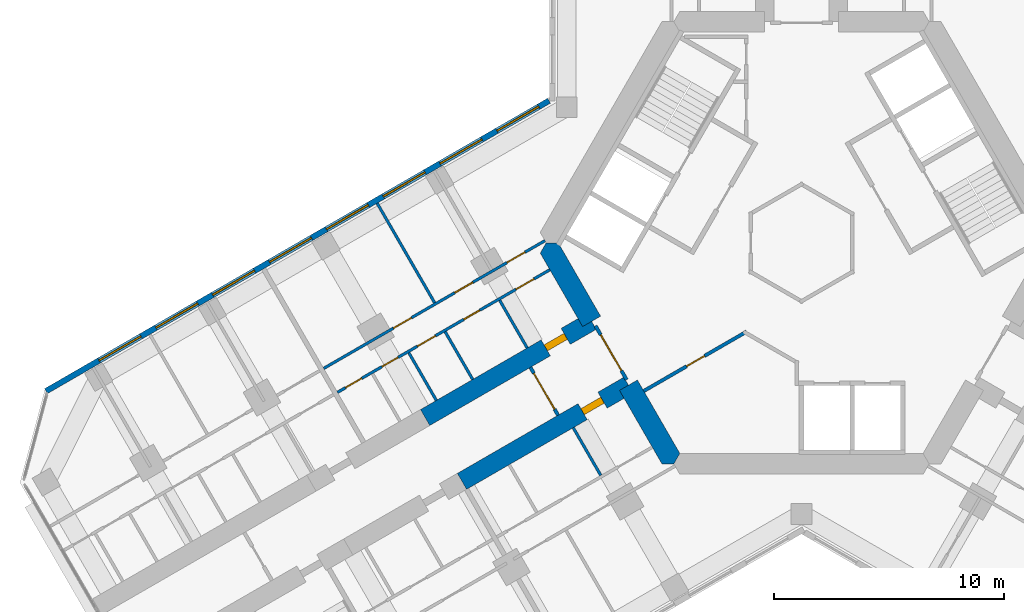
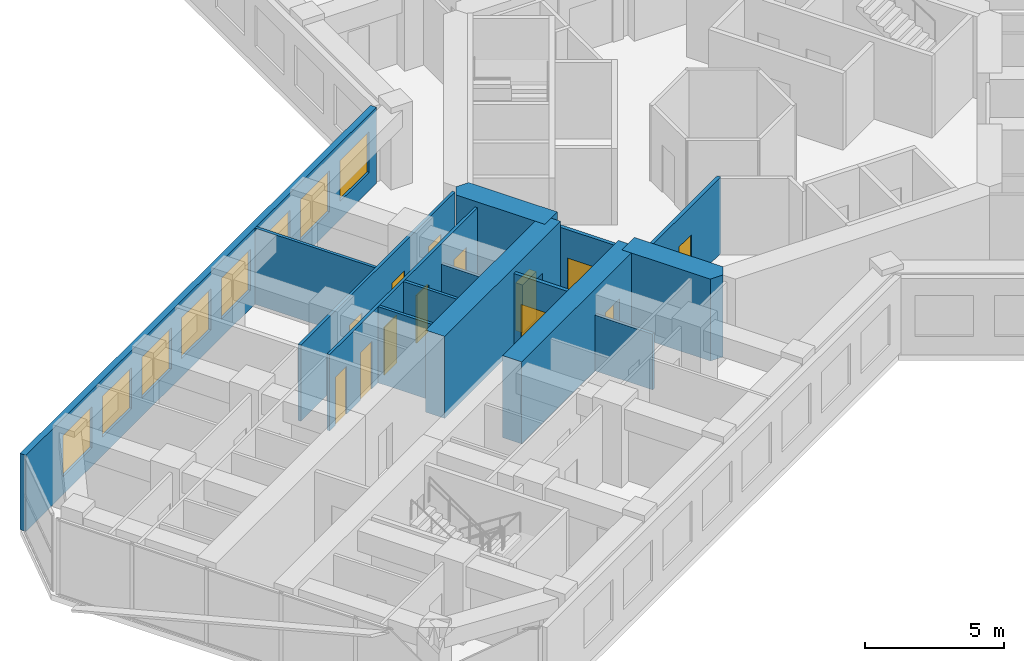
# One storey, part 12 of 20: 15 walls, 13 doors, 8 windows, 21 openings.
"""IFC4 building model written with IfcOpenShell, lengths in metres."""

import ifcopenshell
import ifcopenshell.guid

model = None  # the IFC model being written
_history = None  # IfcOwnerHistory: only IFC2X3 demands one
_inside = {}  # id of a spatial element -> (the spatial element, [elements in it])
_under = {}  # id of a project, library or spatial element -> (it, [spatial elements below it])
_declared = {}  # id of a project -> (the project, [libraries it declares])
_typed = {}  # id of a type object -> (the type object, [elements of that type])
_made_of = {}  # id of a material, layer set ... -> (it, [elements and type objects made of it])


def new_model(schema):
    """Start an empty IFC model of exactly this schema.

    Asked for "IFC4X3", IfcOpenShell would pick the latest addendum, in which some entities
    have other attributes; the version numbers below select the first issue.
    IFC2X3 requires an IfcOwnerHistory on every rooted entity: one is made here for all.
    """
    global model, _history
    if schema == "IFC4X3":
        model = ifcopenshell.file(schema_version=(4, 3, 0, 0))
    else:
        model = ifcopenshell.file(schema=schema)
    _inside.clear()
    _under.clear()
    _declared.clear()
    _typed.clear()
    _made_of.clear()
    _history = None
    if model.schema == "IFC2X3":
        org = make("IfcOrganization", Name="unknown")
        user = make(
            "IfcPersonAndOrganization",
            ThePerson=make("IfcPerson", FamilyName="unknown"),
            TheOrganization=org,
        )
        app = make(
            "IfcApplication",
            ApplicationDeveloper=org,
            Version="unknown",
            ApplicationFullName="unknown",
            ApplicationIdentifier="unknown",
        )
        _history = make(
            "IfcOwnerHistory",
            OwningUser=user,
            OwningApplication=app,
            ChangeAction="ADDED",
            CreationDate=0,
        )
    return model


def make(cls, **values):
    """One entity of the class cls with the attributes given. An attribute that is None is left unset."""
    return model.create_entity(
        cls, **{name: value for name, value in values.items() if value is not None}
    )


def rooted(cls, **values):
    """An entity with a GlobalId (a new one), such as an element, a storey or a relation."""
    return make(cls, GlobalId=ifcopenshell.guid.new(), OwnerHistory=_history, **values)


def si_unit(unit_type, name, prefix=None):
    """IfcSIUnit, for example si_unit("LENGTHUNIT", "METRE", prefix="MILLI")."""
    return make("IfcSIUnit", UnitType=unit_type, Prefix=prefix, Name=name)


def assignment(units):
    """IfcUnitAssignment: the units of a project."""
    return None if units is None else make("IfcUnitAssignment", Units=units)


def point(xyz):
    """IfcCartesianPoint."""
    return None if xyz is None else make("IfcCartesianPoint", Coordinates=xyz)


def direction(xyz):
    """IfcDirection."""
    return None if xyz is None else make("IfcDirection", DirectionRatios=xyz)


def frame(location, z_axis=None, x_axis=None):
    """IfcAxis2Placement3D, a coordinate frame: its origin and axes. An axis left out is left unset."""
    return make(
        "IfcAxis2Placement3D",
        Location=point(location),
        Axis=direction(z_axis),
        RefDirection=direction(x_axis),
    )


def frame_2d(location, x_axis=None):
    """IfcAxis2Placement2D, a coordinate frame in the plane: its origin and x axis."""
    return make(
        "IfcAxis2Placement2D", Location=point(location), RefDirection=direction(x_axis)
    )


def origin():
    """The frame at (0, 0, 0) with its axes left unset."""
    return frame((0.0, 0.0, 0.0))


def place(relative_to, where):
    """IfcLocalPlacement: puts the frame where relative to a parent placement (None: the world)."""
    return make(
        "IfcLocalPlacement", PlacementRelTo=relative_to, RelativePlacement=where
    )


def context(
    kind, dimensions, precision=None, world=None, true_north=None, identifier=None
):
    """IfcGeometricRepresentationContext, for example the 3D "Model" context."""
    return make(
        "IfcGeometricRepresentationContext",
        ContextIdentifier=identifier,
        ContextType=kind,
        CoordinateSpaceDimension=dimensions,
        Precision=precision,
        WorldCoordinateSystem=world,
        TrueNorth=true_north,
    )


def subcontext(parent, identifier, kind, view, scale=None):
    """IfcGeometricRepresentationSubContext, for example "Body" below "Model"."""
    return make(
        "IfcGeometricRepresentationSubContext",
        ContextIdentifier=identifier,
        ContextType=kind,
        ParentContext=parent,
        TargetScale=scale,
        TargetView=view,
    )


def project(units=None, contexts=None):
    """IfcProject with its units and contexts."""
    return rooted(
        "IfcProject",
        Name="project",
        RepresentationContexts=contexts,
        UnitsInContext=assignment(units),
    )


def spatial(cls, under=None, at=None, **own):
    """A site, building, storey or space (cls), placed at a placement, below another one or the project."""
    s = rooted(cls, ObjectPlacement=at, **own)
    if under is not None:
        _under.setdefault(under.id(), (under, []))[1].append(s)
    return s


def polyline(points):
    """IfcPolyline through the points."""
    return make("IfcPolyline", Points=[point(p) for p in points])


def profile(cls, at=None, kind="AREA", **sizes):
    """A parametric profile (cls). Its sizes go by their IFC names, for example OverallWidth=200.0."""
    return make(cls, ProfileType=kind, Position=at, **sizes)


def rectangle(**sizes):
    """IfcRectangleProfileDef."""
    return profile("IfcRectangleProfileDef", **sizes)


def outline(outer, holes=None, kind="AREA"):
    """IfcArbitraryClosedProfileDef: a profile drawn as a closed curve; with holes, ...WithVoids."""
    if holes is None:
        return make("IfcArbitraryClosedProfileDef", ProfileType=kind, OuterCurve=outer)
    return make(
        "IfcArbitraryProfileDefWithVoids",
        ProfileType=kind,
        OuterCurve=outer,
        InnerCurves=holes,
    )


def extrude(swept, where, along, depth):
    """IfcExtrudedAreaSolid: the profile swept, set in the frame where, extruded along a direction by depth."""
    return make(
        "IfcExtrudedAreaSolid",
        SweptArea=swept,
        Position=where,
        ExtrudedDirection=direction(along),
        Depth=depth,
    )


def shape(context_of_items, identifier, shape_type, items):
    """IfcShapeRepresentation: the items that make up one representation, for example the "Body"."""
    return make(
        "IfcShapeRepresentation",
        ContextOfItems=context_of_items,
        RepresentationIdentifier=identifier,
        RepresentationType=shape_type,
        Items=items,
    )


def material(Name=None, Category=None):
    """IfcMaterial."""
    return make("IfcMaterial", Name=Name, Category=Category)


def layer(
    of_material, thickness, ventilated=None, Name=None, Category=None, Priority=None
):
    """IfcMaterialLayer: one layer of a wall or slab, of a material (None: an air gap)."""
    return make(
        "IfcMaterialLayer",
        Material=of_material,
        LayerThickness=thickness,
        IsVentilated=ventilated,
        Name=Name,
        Category=Category,
        Priority=Priority,
    )


def layer_set(layers, Name=None):
    """IfcMaterialLayerSet."""
    return make("IfcMaterialLayerSet", MaterialLayers=layers, LayerSetName=Name)


def made_of(thing, what):
    """Note that an element or type object is made of a material, layer set ...; save() writes the relation."""
    if what is not None:
        _made_of.setdefault(what.id(), (what, []))[1].append(thing)
    return thing


def type_object(cls, material=None, **own):
    """A type object (cls), such as IfcWallType, which elements share."""
    return made_of(rooted(cls, **own), material)


def element(
    cls,
    number,
    at=None,
    inside=None,
    cuts=None,
    type_object=None,
    material=None,
    context=None,
    identifier="Body",
    shape_type=None,
    held_by="IfcProductDefinitionShape",
    body=None,
    shapes=None,
    **own,
):
    """One element of the class cls, such as IfcWall. Its Tag is "e" and its number.

    at: its placement. inside: the storey or other place that contains it. cuts: it is an
    opening in that element (IfcRelVoidsElement). A single representation is given by context,
    identifier, shape_type and body (its items); several are given by shapes. held_by: the class
    of the entity that holds the representations. save() writes the other relations.
    """
    e = rooted(cls, Tag="e%d" % number, ObjectPlacement=at, **own)
    if body is not None:
        shapes = [shape(context, identifier, shape_type, body)]
    if shapes is not None:
        e.Representation = make(held_by, Representations=shapes)
    if inside is not None:
        _inside.setdefault(inside.id(), (inside, []))[1].append(e)
    if cuts is not None:
        rooted(
            "IfcRelVoidsElement", RelatingBuildingElement=cuts, RelatedOpeningElement=e
        )
    if type_object is not None:
        _typed.setdefault(type_object.id(), (type_object, []))[1].append(e)
    return made_of(e, material)


def fill(opening, filler):
    """IfcRelFillsElement: the door or window that sits in an opening."""
    return rooted(
        "IfcRelFillsElement",
        RelatingOpeningElement=opening,
        RelatedBuildingElement=filler,
    )


def aggregate(whole, parts):
    """IfcRelAggregates: a whole, such as a stair, and the parts it consists of."""
    return rooted("IfcRelAggregates", RelatingObject=whole, RelatedObjects=parts)


def save(model, path):
    """Write the relations noted so far, then the file.

    IfcRelAggregates (storeys below a building ...), IfcRelContainedInSpatialStructure (elements
    in a storey), IfcRelDefinesByType, IfcRelAssociatesMaterial and IfcRelDeclares: one each for
    every whole, place, type object, material and project.
    """
    for whole, parts in _under.values():
        aggregate(whole, parts)
    for where, things in _inside.values():
        rooted(
            "IfcRelContainedInSpatialStructure",
            RelatedElements=things,
            RelatingStructure=where,
        )
    for kind, things in _typed.values():
        rooted("IfcRelDefinesByType", RelatedObjects=things, RelatingType=kind)
    for what, things in _made_of.values():
        rooted("IfcRelAssociatesMaterial", RelatedObjects=things, RelatingMaterial=what)
    for by, libraries in _declared.values():
        rooted("IfcRelDeclares", RelatingContext=by, RelatedDefinitions=libraries)
    model.write(path)


model = new_model("IFC4")

# Units and contexts
model_context = context("Model", 3, precision=1e-05, world=origin(), true_north=direction((0.0, 1.0)))
body_context = subcontext(model_context, "Body", "Model", "MODEL_VIEW")
ifc_project = project(units=[si_unit("LENGTHUNIT", "METRE"), si_unit("AREAUNIT", "SQUARE_METRE"), si_unit("VOLUMEUNIT", "CUBIC_METRE"), si_unit("PLANEANGLEUNIT", "RADIAN"), si_unit("MASSUNIT", "GRAM", prefix="KILO")], contexts=[model_context])

# Site, building, storey
site_placement = place(None, origin())
site = spatial("IfcSite", under=ifc_project, at=site_placement, CompositionType="ELEMENT")
building_placement = place(site_placement, origin())
building = spatial("IfcBuilding", under=site, at=building_placement, Name="Kosmar Iwan School Tower", CompositionType="ELEMENT")
storey_placement = place(building_placement, frame((0.0, 0.0, 131.0)))
storey = spatial("IfcBuildingStorey", under=building, at=storey_placement, Name="L32", CompositionType="ELEMENT", Elevation=131.0)

# Wall, opening, door
ifc_material_1 = material(Name="Gypsum board on steel studs, fire-rated", Category="steel")
ifc_layer_1 = layer(ifc_material_1, 0.14990234375)
ifc_layer_set_1 = layer_set([ifc_layer_1], Name="Core room partition 150")
wall_type_1 = type_object("IfcWallType", Name="Core room partition 150", PredefinedType="PARTITIONING", material=ifc_layer_set_1)
wall_1_placement = place(storey_placement, frame((-6.853515625, -6.439453125, 0.0), z_axis=(0.0, 0.0, 1.0), x_axis=(0.866030361502, 0.499991412883, 0.0)))
wall_1 = element("IfcWall", 1, at=wall_1_placement, inside=storey, type_object=wall_type_1, Name="Core room partition L32-CW5", PredefinedType="PARTITIONING", context=body_context, shape_type="SweptSolid", body=[
    extrude(rectangle(XDim=5.15966796875, YDim=0.14990234375, at=frame_2d((2.579833984375, 0.0))), origin(), (0.0, 0.0, 1.0), 3.35009765625),
])
opening_1_placement = place(wall_1_placement, frame((2.14990234375, 0.0, 0.0)))
opening_1 = element("IfcOpeningElement", 2, at=opening_1_placement, cuts=wall_1, Name="Opening D14", PredefinedType="OPENING", context=body_context, shape_type="SweptSolid", body=[
    extrude(rectangle(XDim=0.89990234375, YDim=2.10009765625, at=frame_2d((0.449951171875, 1.050048828125))), frame((0.0, 0.0869140625, 0.0), z_axis=(0.0, -1.0, 0.0), x_axis=(1.0, 0.0, 0.0)), (0.0, 0.0, 1.0), 0.173828125),
])
ifc_material_2 = material(Name="Timber fire door in steel frame", Category="steel")
door_type_1 = type_object("IfcDoorType", Name="Core room door 900x2100", OperationType="SINGLE_SWING_LEFT", PredefinedType="DOOR", material=ifc_material_2)
door_1_placement = place(opening_1_placement, origin())
door_1 = element("IfcDoor", 3, at=door_1_placement, inside=storey, type_object=door_type_1, Name="Parcel room door L32 3", OperationType="SINGLE_SWING_LEFT", OverallHeight=2.10009765625, OverallWidth=0.89990234375, PredefinedType="DOOR", context=body_context, shape_type="SweptSolid", body=[
    extrude(rectangle(XDim=0.89990234375, YDim=2.10009765625, at=frame_2d((0.449951171875, 1.050048828125))), frame((0.0, 0.02490234375, 0.0), z_axis=(0.0, -1.0, 0.0), x_axis=(1.0, 0.0, 0.0)), (0.0, 0.0, 1.0), 0.050048828125),
])
fill(opening_1, door_1)

# Walls
ifc_material_3 = material(Name="Concrete C50/60", Category="concrete")
ifc_layer_2 = layer(ifc_material_3, 0.89990234375)
ifc_layer_set_2 = layer_set([ifc_layer_2], Name="Core wall 900")
wall_type_2 = type_object("IfcWallType", Name="Core wall 900", PredefinedType="SHEAR", material=ifc_layer_set_2)
wall_2_placement = place(storey_placement, origin())
element("IfcWall", 4, at=wall_2_placement, inside=storey, type_object=wall_type_2, Name="Core wall F210a", PredefinedType="SHEAR", context=body_context, shape_type="SweptSolid", body=[
    extrude(outline(polyline([(-9.503662109375, -3.639404296875), (-8.72412109375, -3.189453125), (-10.5654296875, 0.0), (-11.085205078125, 0.0), (-11.344970703125, -0.449951171875), (-9.503662109375, -3.639404296875)])), origin(), (0.0, 0.0, 1.0), 3.60009765625),
])
wall_3_placement = place(storey_placement, origin())
element("IfcWall", 5, at=wall_3_placement, inside=storey, type_object=wall_type_2, Name="Core wall F210b", PredefinedType="SHEAR", context=body_context, shape_type="SweptSolid", body=[
    extrude(outline(polyline([(-6.062255859375, -9.60009765625), (-5.54248046875, -9.60009765625), (-5.28271484375, -9.14990234375), (-7.1240234375, -5.960693359375), (-7.903564453125, -6.41064453125), (-6.062255859375, -9.60009765625)])), origin(), (0.0, 0.0, 1.0), 3.60009765625),
])

# Wall, opening, door
ifc_material_4 = material(Name="Concrete C50/60", Category="concrete")
ifc_layer_3 = layer(ifc_material_4, 0.800048828125)
ifc_layer_set_3 = layer_set([ifc_layer_3], Name="Corridor buttress wall 800")
wall_type_3 = type_object("IfcWallType", Name="Corridor buttress wall 800", PredefinedType="SHEAR", material=ifc_layer_set_3)
wall_4_placement = place(storey_placement, frame((-7.513916015625, -6.185546875, 0.0), z_axis=(0.0, 0.0, 1.0), x_axis=(-0.866019549707, -0.500010139422, 0.0)))
wall_4 = element("IfcWall", 6, at=wall_4_placement, inside=storey, type_object=wall_type_3, Name="Corridor wall BL", PredefinedType="SHEAR", context=body_context, shape_type="SweptSolid", body=[
    extrude(rectangle(XDim=8.349853515625, YDim=0.800048828125, at=frame_2d((4.1748046875, 0.0))), origin(), (0.0, 0.0, 1.0), 3.60009765625),
])
opening_2_placement = place(wall_4_placement, frame((1.300048828125, 0.0, 0.0)))
opening_2 = element("IfcOpeningElement", 7, at=opening_2_placement, cuts=wall_4, Name="Opening D1", PredefinedType="OPENING", context=body_context, shape_type="SweptSolid", body=[
    extrude(rectangle(XDim=1.0, YDim=2.10009765625, at=frame_2d((0.5, 1.050048828125))), frame((0.0, 0.412109375, 0.0), z_axis=(0.0, -1.0, 0.0), x_axis=(1.0, 0.0, 0.0)), (0.0, 0.0, 1.0), 0.823974609375),
])
ifc_material_5 = material(Name="Timber fire door in steel frame", Category="steel")
door_type_2 = type_object("IfcDoorType", Name="Flat entrance door 1000x2100", OperationType="SINGLE_SWING_LEFT", PredefinedType="DOOR", material=ifc_material_5)
door_2_placement = place(opening_2_placement, origin())
door_2 = element("IfcDoor", 8, at=door_2_placement, inside=storey, type_object=door_type_2, Name="Flat L32-BL1 entrance door", OperationType="SINGLE_SWING_RIGHT", OverallHeight=2.10009765625, OverallWidth=1.0, PredefinedType="DOOR", context=body_context, shape_type="SweptSolid", body=[
    extrude(rectangle(XDim=1.0, YDim=2.10009765625, at=frame_2d((0.5, 1.050048828125))), frame((0.0, 0.14990234375, 0.0), z_axis=(0.0, -1.0, 0.0), x_axis=(1.0, 0.0, 0.0)), (0.0, 0.0, 1.0), 0.300048828125),
])
fill(opening_2, door_2)

wall_5_placement = place(storey_placement, frame((-9.11376953125, -3.414306640625, 0.0), z_axis=(0.0, 0.0, 1.0), x_axis=(-0.866026859388, -0.499997478812, 0.0)))
wall_5 = element("IfcWall", 9, at=wall_5_placement, inside=storey, type_object=wall_type_3, Name="Corridor wall BR", PredefinedType="SHEAR", context=body_context, shape_type="SweptSolid", body=[
    extrude(rectangle(XDim=8.35009765625, YDim=0.800048828125, at=frame_2d((4.175048828125, 0.0))), origin(), (0.0, 0.0, 1.0), 3.60009765625),
])
opening_3_placement = place(wall_5_placement, frame((1.300048828125, 0.0, 0.0)))
opening_3 = element("IfcOpeningElement", 10, at=opening_3_placement, cuts=wall_5, Name="Opening D1", PredefinedType="OPENING", context=body_context, shape_type="SweptSolid", body=[
    extrude(rectangle(XDim=1.0, YDim=2.10009765625, at=frame_2d((0.5, 1.050048828125))), frame((0.0, 0.412109375, 0.0), z_axis=(0.0, -1.0, 0.0), x_axis=(1.0, 0.0, 0.0)), (0.0, 0.0, 1.0), 0.823974609375),
])
door_3_placement = place(opening_3_placement, origin())
door_3 = element("IfcDoor", 11, at=door_3_placement, inside=storey, type_object=door_type_2, Name="Flat L32-BR1 entrance door", OperationType="SINGLE_SWING_RIGHT", OverallHeight=2.10009765625, OverallWidth=1.0, PredefinedType="DOOR", context=body_context, shape_type="SweptSolid", body=[
    extrude(rectangle(XDim=1.0, YDim=2.10009765625, at=frame_2d((0.5, 1.050048828125))), frame((0.0, 0.14990234375, 0.0), z_axis=(0.0, -1.0, 0.0), x_axis=(1.0, 0.0, 0.0)), (0.0, 0.0, 1.0), 0.300048828125),
])
fill(opening_3, door_3)

ifc_material_6 = material(Name="Gypsum board on steel studs, fire-rated", Category="steel")
ifc_layer_4 = layer(ifc_material_6, 0.14990234375)
ifc_layer_set_4 = layer_set([ifc_layer_4], Name="Corridor end wall 150")
wall_type_4 = type_object("IfcWallType", Name="Corridor end wall 150", PredefinedType="PARTITIONING", material=ifc_layer_set_4)
wall_6_placement = place(storey_placement, frame((-11.771728515625, -5.41064453125, 0.0), z_axis=(0.0, 0.0, 1.0), x_axis=(0.499957262057, -0.866050077142, 0.0)))
wall_6 = element("IfcWall", 12, at=wall_6_placement, inside=storey, type_object=wall_type_4, Name="Partition L32-B-HW", PredefinedType="PARTITIONING", context=body_context, shape_type="SweptSolid", body=[
    extrude(rectangle(XDim=2.400146484375, YDim=0.14990234375, at=frame_2d((1.2001953125, 0.0))), origin(), (0.0, 0.0, 1.0), 3.35009765625),
])
opening_4_placement = place(wall_6_placement, frame((0.300048828125, 0.0, 0.0)))
opening_4 = element("IfcOpeningElement", 13, at=opening_4_placement, cuts=wall_6, Name="Opening D9", PredefinedType="OPENING", context=body_context, shape_type="SweptSolid", body=[
    extrude(rectangle(XDim=1.800048828125, YDim=2.10009765625, at=frame_2d((0.89990234375, 1.050048828125))), frame((0.0, 0.0869140625, 0.0), z_axis=(0.0, -1.0, 0.0), x_axis=(1.0, 0.0, 0.0)), (0.0, 0.0, 1.0), 0.173828125),
])
ifc_material_7 = material(Name="Steel framed glazed smoke door", Category="steel")
door_type_3 = type_object("IfcDoorType", Name="Corridor smoke door pair 1800x2100", OperationType="DOUBLE_DOOR_DOUBLE_SWING", PredefinedType="DOOR", material=ifc_material_7)
door_4_placement = place(opening_4_placement, origin())
door_4 = element("IfcDoor", 14, at=door_4_placement, inside=storey, type_object=door_type_3, Name="Hashti vestibule smoke doors L32-B", OperationType="DOUBLE_DOOR_DOUBLE_SWING", OverallHeight=2.10009765625, OverallWidth=1.800048828125, PredefinedType="DOOR", context=body_context, shape_type="SweptSolid", body=[
    extrude(rectangle(XDim=1.800048828125, YDim=2.10009765625, at=frame_2d((0.89990234375, 1.050048828125))), frame((0.0, 0.02490234375, 0.0), z_axis=(0.0, -1.0, 0.0), x_axis=(1.0, 0.0, 0.0)), (0.0, 0.0, 1.0), 0.050048828125),
])
fill(opening_4, door_4)

ifc_material_8 = material(Name="Steel framed glazed screen", Category="steel")
ifc_layer_5 = layer(ifc_material_8, 0.14990234375)
ifc_layer_set_5 = layer_set([ifc_layer_5], Name="Corridor screen wall 150")
wall_type_5 = type_object("IfcWallType", Name="Corridor screen wall 150", PredefinedType="PARTITIONING", material=ifc_layer_set_5)
wall_7_placement = place(storey_placement, frame((-8.945556640625, -3.60595703125, 0.0), z_axis=(0.0, 0.0, 1.0), x_axis=(0.500048589285, -0.86599734893, 0.0)))
wall_7 = element("IfcWall", 15, at=wall_7_placement, inside=storey, type_object=wall_type_5, Name="Corridor screen B L32", PredefinedType="PARTITIONING", context=body_context, shape_type="SweptSolid", body=[
    extrude(rectangle(XDim=2.699951171875, YDim=0.14990234375, at=frame_2d((1.35009765625, 0.0))), origin(), (0.0, 0.0, 1.0), 3.35009765625),
])
opening_5_placement = place(wall_7_placement, frame((0.449951171875, 0.0, 0.0)))
opening_5 = element("IfcOpeningElement", 16, at=opening_5_placement, cuts=wall_7, Name="Opening D9", PredefinedType="OPENING", context=body_context, shape_type="SweptSolid", body=[
    extrude(rectangle(XDim=1.800048828125, YDim=2.10009765625, at=frame_2d((0.89990234375, 1.050048828125))), frame((0.0, 0.0869140625, 0.0), z_axis=(0.0, -1.0, 0.0), x_axis=(1.0, 0.0, 0.0)), (0.0, 0.0, 1.0), 0.173828125),
])
door_5_placement = place(opening_5_placement, origin())
door_5 = element("IfcDoor", 17, at=door_5_placement, inside=storey, type_object=door_type_3, Name="Corridor doors B L32", OperationType="DOUBLE_DOOR_DOUBLE_SWING", OverallHeight=2.10009765625, OverallWidth=1.800048828125, PredefinedType="DOOR", context=body_context, shape_type="SweptSolid", body=[
    extrude(rectangle(XDim=1.800048828125, YDim=2.10009765625, at=frame_2d((0.89990234375, 1.050048828125))), frame((0.0, 0.02490234375, 0.0), z_axis=(0.0, -1.0, 0.0), x_axis=(1.0, 0.0, 0.0)), (0.0, 0.0, 1.0), 0.050048828125),
])
fill(opening_5, door_5)

# Wall
ifc_material_9 = material(Name="Gypsum board on steel studs", Category="steel")
ifc_layer_6 = layer(ifc_material_9, 0.1201171875)
ifc_layer_set_6 = layer_set([ifc_layer_6], Name="Dwelling partition 120")
wall_type_6 = type_object("IfcWallType", Name="Dwelling partition 120", PredefinedType="PARTITIONING", material=ifc_layer_set_6)
wall_8_placement = place(storey_placement, frame((-9.911865234375, -8.031982421875, 0.0), z_axis=(0.0, 0.0, 1.0), x_axis=(0.500017192868, -0.86601547725, 0.0)))
element("IfcWall", 18, at=wall_8_placement, inside=storey, type_object=wall_type_6, Name="Partition L32-BL1-Y1", PredefinedType="PARTITIONING", context=body_context, shape_type="SweptSolid", body=[
    extrude(rectangle(XDim=2.39013671875, YDim=0.1201171875, at=frame_2d((1.195068359375, 0.0))), origin(), (0.0, 0.0, 1.0), 2.449951171875),
])

# Wall, openings, doors
wall_9_placement = place(storey_placement, frame((-10.928466796875, -1.171142578125, 0.0), z_axis=(0.0, 0.0, 1.0), x_axis=(-0.866032509089, -0.49998769305, 0.0)))
wall_9 = element("IfcWall", 19, at=wall_9_placement, inside=storey, type_object=wall_type_6, Name="Partition L32-BR1-W1", PredefinedType="PARTITIONING", context=body_context, shape_type="SweptSolid", body=[
    extrude(rectangle(XDim=10.650146484375, YDim=0.1201171875, at=frame_2d((5.3251953125, 0.0))), origin(), (0.0, 0.0, 1.0), 3.35009765625),
])
opening_6_placement = place(wall_9_placement, frame((0.800048828125, 0.0, 0.0)))
opening_6 = element("IfcOpeningElement", 20, at=opening_6_placement, cuts=wall_9, Name="Opening D2", PredefinedType="OPENING", context=body_context, shape_type="SweptSolid", body=[
    extrude(rectangle(XDim=0.89990234375, YDim=2.10009765625, at=frame_2d((0.449951171875, 1.050048828125))), frame((0.0, 0.072021484375, 0.0), z_axis=(0.0, -1.0, 0.0), x_axis=(1.0, 0.0, 0.0)), (0.0, 0.0, 1.0), 0.14404296875),
])
opening_7_placement = place(wall_9_placement, frame((3.5166015625, 0.0, 0.0)))
opening_7 = element("IfcOpeningElement", 21, at=opening_7_placement, cuts=wall_9, Name="Opening D3", PredefinedType="OPENING", context=body_context, shape_type="SweptSolid", body=[
    extrude(rectangle(XDim=0.800048828125, YDim=2.10009765625, at=frame_2d((0.39990234375, 1.050048828125))), frame((0.0, 0.072021484375, 0.0), z_axis=(0.0, -1.0, 0.0), x_axis=(1.0, 0.0, 0.0)), (0.0, 0.0, 1.0), 0.14404296875),
])
opening_8_placement = place(wall_9_placement, frame((5.744384765625, 0.0, 0.0)))
opening_8 = element("IfcOpeningElement", 22, at=opening_8_placement, cuts=wall_9, Name="Opening D2", PredefinedType="OPENING", context=body_context, shape_type="SweptSolid", body=[
    extrude(rectangle(XDim=0.89990234375, YDim=2.10009765625, at=frame_2d((0.449951171875, 1.050048828125))), frame((0.0, 0.072021484375, 0.0), z_axis=(0.0, -1.0, 0.0), x_axis=(1.0, 0.0, 0.0)), (0.0, 0.0, 1.0), 0.14404296875),
])
opening_9_placement = place(wall_9_placement, frame((7.61669921875, 0.0, 0.0)))
opening_9 = element("IfcOpeningElement", 23, at=opening_9_placement, cuts=wall_9, Name="Opening D3", PredefinedType="OPENING", context=body_context, shape_type="SweptSolid", body=[
    extrude(rectangle(XDim=0.800048828125, YDim=2.10009765625, at=frame_2d((0.39990234375, 1.050048828125))), frame((0.0, 0.072021484375, 0.0), z_axis=(0.0, -1.0, 0.0), x_axis=(1.0, 0.0, 0.0)), (0.0, 0.0, 1.0), 0.14404296875),
])
opening_10_placement = place(wall_9_placement, frame((9.43896484375, 0.0, 0.0)))
opening_10 = element("IfcOpeningElement", 24, at=opening_10_placement, cuts=wall_9, Name="Opening D3", PredefinedType="OPENING", context=body_context, shape_type="SweptSolid", body=[
    extrude(rectangle(XDim=0.800048828125, YDim=2.10009765625, at=frame_2d((0.39990234375, 1.050048828125))), frame((0.0, 0.072021484375, 0.0), z_axis=(0.0, -1.0, 0.0), x_axis=(1.0, 0.0, 0.0)), (0.0, 0.0, 1.0), 0.14404296875),
])
ifc_material_10 = material(Name="Timber door in timber frame", Category="wood")
door_type_4 = type_object("IfcDoorType", Name="Internal door 900x2100", OperationType="SINGLE_SWING_LEFT", PredefinedType="DOOR", material=ifc_material_10)
door_6_placement = place(opening_6_placement, origin())
door_6 = element("IfcDoor", 25, at=door_6_placement, inside=storey, type_object=door_type_4, Name="Entrance hall door L32-BR1-S1", OperationType="SINGLE_SWING_RIGHT", OverallHeight=2.10009765625, OverallWidth=0.89990234375, PredefinedType="DOOR", context=body_context, shape_type="SweptSolid", body=[
    extrude(rectangle(XDim=0.89990234375, YDim=2.10009765625, at=frame_2d((0.449951171875, 1.050048828125))), frame((0.0, 0.02490234375, 0.0), z_axis=(0.0, -1.0, 0.0), x_axis=(1.0, 0.0, 0.0)), (0.0, 0.0, 1.0), 0.050048828125),
])
fill(opening_6, door_6)
door_7_placement = place(opening_8_placement, origin())
door_7 = element("IfcDoor", 26, at=door_7_placement, inside=storey, type_object=door_type_4, Name="Pantry door L32-BR1-S3", OperationType="SINGLE_SWING_RIGHT", OverallHeight=2.10009765625, OverallWidth=0.89990234375, PredefinedType="DOOR", context=body_context, shape_type="SweptSolid", body=[
    extrude(rectangle(XDim=0.89990234375, YDim=2.10009765625, at=frame_2d((0.449951171875, 1.050048828125))), frame((0.0, 0.02490234375, 0.0), z_axis=(0.0, -1.0, 0.0), x_axis=(1.0, 0.0, 0.0)), (0.0, 0.0, 1.0), 0.050048828125),
])
fill(opening_8, door_7)
ifc_material_11 = material(Name="Timber door in timber frame", Category="wood")
door_type_5 = type_object("IfcDoorType", Name="Sanitary room door 800x2100", OperationType="SINGLE_SWING_LEFT", PredefinedType="DOOR", material=ifc_material_11)
door_8_placement = place(opening_7_placement, origin())
door_8 = element("IfcDoor", 27, at=door_8_placement, inside=storey, type_object=door_type_5, Name="Bathroom door L32-BR1-S2", OperationType="SINGLE_SWING_LEFT", OverallHeight=2.10009765625, OverallWidth=0.800048828125, PredefinedType="DOOR", context=body_context, shape_type="SweptSolid", body=[
    extrude(rectangle(XDim=0.800048828125, YDim=2.10009765625, at=frame_2d((0.39990234375, 1.050048828125))), frame((0.0, 0.02490234375, 0.0), z_axis=(0.0, -1.0, 0.0), x_axis=(1.0, 0.0, 0.0)), (0.0, 0.0, 1.0), 0.050048828125),
])
fill(opening_7, door_8)
door_9_placement = place(opening_9_placement, origin())
door_9 = element("IfcDoor", 28, at=door_9_placement, inside=storey, type_object=door_type_5, Name="WC door L32-BR1-S4", OperationType="SINGLE_SWING_LEFT", OverallHeight=2.10009765625, OverallWidth=0.800048828125, PredefinedType="DOOR", context=body_context, shape_type="SweptSolid", body=[
    extrude(rectangle(XDim=0.800048828125, YDim=2.10009765625, at=frame_2d((0.39990234375, 1.050048828125))), frame((0.0, 0.02490234375, 0.0), z_axis=(0.0, -1.0, 0.0), x_axis=(1.0, 0.0, 0.0)), (0.0, 0.0, 1.0), 0.050048828125),
])
fill(opening_9, door_9)
door_10_placement = place(opening_10_placement, origin())
door_10 = element("IfcDoor", 29, at=door_10_placement, inside=storey, type_object=door_type_5, Name="Store door L32-BR1-S5", OperationType="SINGLE_SWING_RIGHT", OverallHeight=2.10009765625, OverallWidth=0.800048828125, PredefinedType="DOOR", context=body_context, shape_type="SweptSolid", body=[
    extrude(rectangle(XDim=0.800048828125, YDim=2.10009765625, at=frame_2d((0.39990234375, 1.050048828125))), frame((0.0, 0.02490234375, 0.0), z_axis=(0.0, -1.0, 0.0), x_axis=(1.0, 0.0, 0.0)), (0.0, 0.0, 1.0), 0.050048828125),
])
fill(opening_10, door_10)

wall_10_placement = place(storey_placement, frame((-11.138916015625, 0.093017578125, 0.0), z_axis=(0.0, 0.0, 1.0), x_axis=(-0.866021494144, -0.500006771635, 0.0)))
wall_10 = element("IfcWall", 30, at=wall_10_placement, inside=storey, type_object=wall_type_6, Name="Partition L32-BR1-W2", PredefinedType="PARTITIONING", context=body_context, shape_type="SweptSolid", body=[
    extrude(rectangle(XDim=11.099853515625, YDim=0.1201171875, at=frame_2d((5.5498046875, 0.0))), origin(), (0.0, 0.0, 1.0), 3.35009765625),
])
opening_11_placement = place(wall_10_placement, frame((1.0, 0.0, 0.0)))
opening_11 = element("IfcOpeningElement", 31, at=opening_11_placement, cuts=wall_10, Name="Opening D2", PredefinedType="OPENING", context=body_context, shape_type="SweptSolid", body=[
    extrude(rectangle(XDim=0.89990234375, YDim=2.10009765625, at=frame_2d((0.449951171875, 1.050048828125))), frame((0.0, 0.072021484375, 0.0), z_axis=(0.0, -1.0, 0.0), x_axis=(1.0, 0.0, 0.0)), (0.0, 0.0, 1.0), 0.14404296875),
])
opening_12_placement = place(wall_10_placement, frame((3.625, 0.0, 0.0)))
opening_12 = element("IfcOpeningElement", 32, at=opening_12_placement, cuts=wall_10, Name="Opening D2", PredefinedType="OPENING", context=body_context, shape_type="SweptSolid", body=[
    extrude(rectangle(XDim=0.89990234375, YDim=2.10009765625, at=frame_2d((0.449951171875, 1.050048828125))), frame((0.0, 0.072021484375, 0.0), z_axis=(0.0, -1.0, 0.0), x_axis=(1.0, 0.0, 0.0)), (0.0, 0.0, 1.0), 0.14404296875),
])
opening_13_placement = place(wall_10_placement, frame((6.699951171875, 0.0, 0.0)))
opening_13 = element("IfcOpeningElement", 33, at=opening_13_placement, cuts=wall_10, Name="Opening D2", PredefinedType="OPENING", context=body_context, shape_type="SweptSolid", body=[
    extrude(rectangle(XDim=0.89990234375, YDim=2.10009765625, at=frame_2d((0.449951171875, 1.050048828125))), frame((0.0, 0.072021484375, 0.0), z_axis=(0.0, -1.0, 0.0), x_axis=(1.0, 0.0, 0.0)), (0.0, 0.0, 1.0), 0.14404296875),
])
door_11_placement = place(opening_11_placement, origin())
door_11 = element("IfcDoor", 34, at=door_11_placement, inside=storey, type_object=door_type_4, Name="Bedroom 1 door L32-BR1-F1", OperationType="SINGLE_SWING_LEFT", OverallHeight=2.10009765625, OverallWidth=0.89990234375, PredefinedType="DOOR", context=body_context, shape_type="SweptSolid", body=[
    extrude(rectangle(XDim=0.89990234375, YDim=2.10009765625, at=frame_2d((0.449951171875, 1.050048828125))), frame((0.0, 0.02490234375, 0.0), z_axis=(0.0, -1.0, 0.0), x_axis=(1.0, 0.0, 0.0)), (0.0, 0.0, 1.0), 0.050048828125),
])
fill(opening_11, door_11)
door_12_placement = place(opening_12_placement, origin())
door_12 = element("IfcDoor", 35, at=door_12_placement, inside=storey, type_object=door_type_4, Name="Study door L32-BR1-F2", OperationType="SINGLE_SWING_LEFT", OverallHeight=2.10009765625, OverallWidth=0.89990234375, PredefinedType="DOOR", context=body_context, shape_type="SweptSolid", body=[
    extrude(rectangle(XDim=0.89990234375, YDim=2.10009765625, at=frame_2d((0.449951171875, 1.050048828125))), frame((0.0, 0.02490234375, 0.0), z_axis=(0.0, -1.0, 0.0), x_axis=(1.0, 0.0, 0.0)), (0.0, 0.0, 1.0), 0.050048828125),
])
fill(opening_12, door_12)
door_13_placement = place(opening_13_placement, origin())
door_13 = element("IfcDoor", 36, at=door_13_placement, inside=storey, type_object=door_type_4, Name="Family room and kitchen door L32-BR1-F3", OperationType="SINGLE_SWING_RIGHT", OverallHeight=2.10009765625, OverallWidth=0.89990234375, PredefinedType="DOOR", context=body_context, shape_type="SweptSolid", body=[
    extrude(rectangle(XDim=0.89990234375, YDim=2.10009765625, at=frame_2d((0.449951171875, 1.050048828125))), frame((0.0, 0.02490234375, 0.0), z_axis=(0.0, -1.0, 0.0), x_axis=(1.0, 0.0, 0.0)), (0.0, 0.0, 1.0), 0.050048828125),
])
fill(opening_13, door_13)

# Walls
wall_11_placement = place(storey_placement, frame((-15.931884765625, -2.60498046875, 0.0), z_axis=(0.0, 0.0, 1.0), x_axis=(-0.500011847778, 0.866018563358, 0.0)))
element("IfcWall", 37, at=wall_11_placement, inside=storey, type_object=wall_type_6, Name="Partition L32-BR1-X2", PredefinedType="PARTITIONING", context=body_context, shape_type="SweptSolid", body=[
    extrude(rectangle(XDim=4.990234375, YDim=0.1201171875, at=frame_2d((2.4951171875, 0.0))), origin(), (0.0, 0.0, 1.0), 3.35009765625),
])
wall_12_placement = place(storey_placement, frame((-11.911865234375, -4.56787109375, 0.0), z_axis=(0.0, 0.0, 1.0), x_axis=(-0.500017192868, 0.86601547725, 0.0)))
element("IfcWall", 38, at=wall_12_placement, inside=storey, type_object=wall_type_6, Name="Partition L32-BR1-Y1", PredefinedType="PARTITIONING", context=body_context, shape_type="SweptSolid", body=[
    extrude(rectangle(XDim=2.39013671875, YDim=0.1201171875, at=frame_2d((1.195068359375, 0.0))), origin(), (0.0, 0.0, 1.0), 2.449951171875),
])
for number, where, z_axis, x_axis, name in (
    (39, (-14.279052734375, -5.9345703125, 0.0), (0.0, 0.0, 1.0), (-0.500017192868, 0.86601547725, 0.0), "Partition L32-BR1-Y2"),
    (40, (-15.857177734375, -6.845703125, 0.0), (0.0, 0.0, 1.0), (-0.500017192868, 0.86601547725, 0.0), "Partition L32-BR1-Y3"),
):
    element("IfcWall", number, at=place(storey_placement, frame(where, z_axis=z_axis, x_axis=x_axis)), inside=storey, type_object=wall_type_6, Name=name, PredefinedType="PARTITIONING", context=body_context, shape_type="SweptSolid", body=[
        extrude(rectangle(XDim=2.39013671875, YDim=0.1201171875, at=frame_2d((1.195068359375, 0.0))), origin(), (0.0, 0.0, 1.0), 3.35009765625),
    ])

# Wall, openings, windows
ifc_material_12 = material(Name="Black aluminium rainscreen on insulated framing", Category="aluminium")
ifc_layer_7 = layer(ifc_material_12, 0.25)
ifc_layer_set_7 = layer_set([ifc_layer_7], Name="External wall rainscreen 250")
wall_type_7 = type_object("IfcWallType", Name="External wall rainscreen 250", PredefinedType="SOLIDWALL", material=ifc_layer_set_7)
wall_13_placement = place(storey_placement, frame((-10.962890625, 6.170166015625, 0.0), z_axis=(0.0, 0.0, 1.0), x_axis=(-0.86602796634, -0.499995561497, 0.0)))
wall_13 = element("IfcWall", 41, at=wall_13_placement, inside=storey, type_object=wall_type_7, Name="External wall BR L32", PredefinedType="SOLIDWALL", context=body_context, shape_type="SweptSolid", body=[
    extrude(rectangle(XDim=25.226318359375, YDim=0.25, at=frame_2d((12.61328125, 0.0))), origin(), (0.0, 0.0, 1.0), 3.35009765625),
])
opening_14_placement = place(wall_13_placement, frame((0.51611328125, 0.0, 0.800048828125)))
opening_14 = element("IfcOpeningElement", 42, at=opening_14_placement, cuts=wall_13, Name="Opening W4", PredefinedType="OPENING", context=body_context, shape_type="SweptSolid", body=[
    extrude(rectangle(XDim=2.10009765625, YDim=1.800048828125, at=frame_2d((1.050048828125, 0.89990234375))), frame((0.0, 0.136962890625, 0.0), z_axis=(0.0, -1.0, 0.0), x_axis=(1.0, 0.0, 0.0)), (0.0, 0.0, 1.0), 0.27392578125),
])
opening_15_placement = place(wall_13_placement, frame((3.365966796875, 0.0, 0.800048828125)))
opening_15 = element("IfcOpeningElement", 43, at=opening_15_placement, cuts=wall_13, Name="Opening W4", PredefinedType="OPENING", context=body_context, shape_type="SweptSolid", body=[
    extrude(rectangle(XDim=2.10009765625, YDim=1.800048828125, at=frame_2d((1.050048828125, 0.89990234375))), frame((0.0, 0.136962890625, 0.0), z_axis=(0.0, -1.0, 0.0), x_axis=(1.0, 0.0, 0.0)), (0.0, 0.0, 1.0), 0.27392578125),
])
opening_16_placement = place(wall_13_placement, frame((6.216064453125, 0.0, 0.800048828125)))
opening_16 = element("IfcOpeningElement", 44, at=opening_16_placement, cuts=wall_13, Name="Opening W4", PredefinedType="OPENING", context=body_context, shape_type="SweptSolid", body=[
    extrude(rectangle(XDim=2.10009765625, YDim=1.800048828125, at=frame_2d((1.050048828125, 0.89990234375))), frame((0.0, 0.136962890625, 0.0), z_axis=(0.0, -1.0, 0.0), x_axis=(1.0, 0.0, 0.0)), (0.0, 0.0, 1.0), 0.27392578125),
])
opening_17_placement = place(wall_13_placement, frame((9.06591796875, 0.0, 0.800048828125)))
opening_17 = element("IfcOpeningElement", 45, at=opening_17_placement, cuts=wall_13, Name="Opening W4", PredefinedType="OPENING", context=body_context, shape_type="SweptSolid", body=[
    extrude(rectangle(XDim=2.10009765625, YDim=1.800048828125, at=frame_2d((1.050048828125, 0.89990234375))), frame((0.0, 0.136962890625, 0.0), z_axis=(0.0, -1.0, 0.0), x_axis=(1.0, 0.0, 0.0)), (0.0, 0.0, 1.0), 0.27392578125),
])
opening_18_placement = place(wall_13_placement, frame((11.916015625, 0.0, 0.800048828125)))
opening_18 = element("IfcOpeningElement", 46, at=opening_18_placement, cuts=wall_13, Name="Opening W4", PredefinedType="OPENING", context=body_context, shape_type="SweptSolid", body=[
    extrude(rectangle(XDim=2.10009765625, YDim=1.800048828125, at=frame_2d((1.050048828125, 0.89990234375))), frame((0.0, 0.136962890625, 0.0), z_axis=(0.0, -1.0, 0.0), x_axis=(1.0, 0.0, 0.0)), (0.0, 0.0, 1.0), 0.27392578125),
])
opening_19_placement = place(wall_13_placement, frame((14.76611328125, 0.0, 0.800048828125)))
opening_19 = element("IfcOpeningElement", 47, at=opening_19_placement, cuts=wall_13, Name="Opening W4", PredefinedType="OPENING", context=body_context, shape_type="SweptSolid", body=[
    extrude(rectangle(XDim=2.10009765625, YDim=1.800048828125, at=frame_2d((1.050048828125, 0.89990234375))), frame((0.0, 0.136962890625, 0.0), z_axis=(0.0, -1.0, 0.0), x_axis=(1.0, 0.0, 0.0)), (0.0, 0.0, 1.0), 0.27392578125),
])
opening_20_placement = place(wall_13_placement, frame((17.615966796875, 0.0, 0.800048828125)))
opening_20 = element("IfcOpeningElement", 48, at=opening_20_placement, cuts=wall_13, Name="Opening W4", PredefinedType="OPENING", context=body_context, shape_type="SweptSolid", body=[
    extrude(rectangle(XDim=2.10009765625, YDim=1.800048828125, at=frame_2d((1.050048828125, 0.89990234375))), frame((0.0, 0.136962890625, 0.0), z_axis=(0.0, -1.0, 0.0), x_axis=(1.0, 0.0, 0.0)), (0.0, 0.0, 1.0), 0.27392578125),
])
opening_21_placement = place(wall_13_placement, frame((20.466064453125, 0.0, 0.800048828125)))
opening_21 = element("IfcOpeningElement", 49, at=opening_21_placement, cuts=wall_13, Name="Opening W4", PredefinedType="OPENING", context=body_context, shape_type="SweptSolid", body=[
    extrude(rectangle(XDim=2.10009765625, YDim=1.800048828125, at=frame_2d((1.050048828125, 0.89990234375))), frame((0.0, 0.136962890625, 0.0), z_axis=(0.0, -1.0, 0.0), x_axis=(1.0, 0.0, 0.0)), (0.0, 0.0, 1.0), 0.27392578125),
])
ifc_material_13 = material(Name="Black aluminium frame with dark triple glazing", Category="aluminium")
window_type = type_object("IfcWindowType", Name="Window 2100x1800", PartitioningType="SINGLE_PANEL", PredefinedType="WINDOW", material=ifc_material_13)
window_1_placement = place(opening_14_placement, origin())
window_1 = element("IfcWindow", 50, at=window_1_placement, inside=storey, type_object=window_type, Name="Window BR L32 -1", OverallHeight=1.800048828125, OverallWidth=2.10009765625, PartitioningType="SINGLE_PANEL", PredefinedType="WINDOW", context=body_context, shape_type="SweptSolid", body=[
    extrude(rectangle(XDim=2.10009765625, YDim=1.800048828125, at=frame_2d((1.050048828125, 0.89990234375))), frame((0.0, 0.030029296875, 0.0), z_axis=(0.0, -1.0, 0.0), x_axis=(1.0, 0.0, 0.0)), (0.0, 0.0, 1.0), 0.06005859375),
])
fill(opening_14, window_1)
window_2_placement = place(opening_15_placement, origin())
window_2 = element("IfcWindow", 51, at=window_2_placement, inside=storey, type_object=window_type, Name="Window BR L32 0", OverallHeight=1.800048828125, OverallWidth=2.10009765625, PartitioningType="SINGLE_PANEL", PredefinedType="WINDOW", context=body_context, shape_type="SweptSolid", body=[
    extrude(rectangle(XDim=2.10009765625, YDim=1.800048828125, at=frame_2d((1.050048828125, 0.89990234375))), frame((0.0, 0.030029296875, 0.0), z_axis=(0.0, -1.0, 0.0), x_axis=(1.0, 0.0, 0.0)), (0.0, 0.0, 1.0), 0.06005859375),
])
fill(opening_15, window_2)
window_3_placement = place(opening_16_placement, origin())
window_3 = element("IfcWindow", 52, at=window_3_placement, inside=storey, type_object=window_type, Name="Window BR L32 1", OverallHeight=1.800048828125, OverallWidth=2.10009765625, PartitioningType="SINGLE_PANEL", PredefinedType="WINDOW", context=body_context, shape_type="SweptSolid", body=[
    extrude(rectangle(XDim=2.10009765625, YDim=1.800048828125, at=frame_2d((1.050048828125, 0.89990234375))), frame((0.0, 0.030029296875, 0.0), z_axis=(0.0, -1.0, 0.0), x_axis=(1.0, 0.0, 0.0)), (0.0, 0.0, 1.0), 0.06005859375),
])
fill(opening_16, window_3)
window_4_placement = place(opening_17_placement, origin())
window_4 = element("IfcWindow", 53, at=window_4_placement, inside=storey, type_object=window_type, Name="Window BR L32 2", OverallHeight=1.800048828125, OverallWidth=2.10009765625, PartitioningType="SINGLE_PANEL", PredefinedType="WINDOW", context=body_context, shape_type="SweptSolid", body=[
    extrude(rectangle(XDim=2.10009765625, YDim=1.800048828125, at=frame_2d((1.050048828125, 0.89990234375))), frame((0.0, 0.030029296875, 0.0), z_axis=(0.0, -1.0, 0.0), x_axis=(1.0, 0.0, 0.0)), (0.0, 0.0, 1.0), 0.06005859375),
])
fill(opening_17, window_4)
window_5_placement = place(opening_18_placement, origin())
window_5 = element("IfcWindow", 54, at=window_5_placement, inside=storey, type_object=window_type, Name="Window BR L32 3", OverallHeight=1.800048828125, OverallWidth=2.10009765625, PartitioningType="SINGLE_PANEL", PredefinedType="WINDOW", context=body_context, shape_type="SweptSolid", body=[
    extrude(rectangle(XDim=2.10009765625, YDim=1.800048828125, at=frame_2d((1.050048828125, 0.89990234375))), frame((0.0, 0.030029296875, 0.0), z_axis=(0.0, -1.0, 0.0), x_axis=(1.0, 0.0, 0.0)), (0.0, 0.0, 1.0), 0.06005859375),
])
fill(opening_18, window_5)
window_6_placement = place(opening_19_placement, origin())
window_6 = element("IfcWindow", 55, at=window_6_placement, inside=storey, type_object=window_type, Name="Window BR L32 4", OverallHeight=1.800048828125, OverallWidth=2.10009765625, PartitioningType="SINGLE_PANEL", PredefinedType="WINDOW", context=body_context, shape_type="SweptSolid", body=[
    extrude(rectangle(XDim=2.10009765625, YDim=1.800048828125, at=frame_2d((1.050048828125, 0.89990234375))), frame((0.0, 0.030029296875, 0.0), z_axis=(0.0, -1.0, 0.0), x_axis=(1.0, 0.0, 0.0)), (0.0, 0.0, 1.0), 0.06005859375),
])
fill(opening_19, window_6)
window_7_placement = place(opening_20_placement, origin())
window_7 = element("IfcWindow", 56, at=window_7_placement, inside=storey, type_object=window_type, Name="Window BR L32 5", OverallHeight=1.800048828125, OverallWidth=2.10009765625, PartitioningType="SINGLE_PANEL", PredefinedType="WINDOW", context=body_context, shape_type="SweptSolid", body=[
    extrude(rectangle(XDim=2.10009765625, YDim=1.800048828125, at=frame_2d((1.050048828125, 0.89990234375))), frame((0.0, 0.030029296875, 0.0), z_axis=(0.0, -1.0, 0.0), x_axis=(1.0, 0.0, 0.0)), (0.0, 0.0, 1.0), 0.06005859375),
])
fill(opening_20, window_7)
window_8_placement = place(opening_21_placement, origin())
window_8 = element("IfcWindow", 57, at=window_8_placement, inside=storey, type_object=window_type, Name="Window BR L32 6", OverallHeight=1.800048828125, OverallWidth=2.10009765625, PartitioningType="SINGLE_PANEL", PredefinedType="WINDOW", context=body_context, shape_type="SweptSolid", body=[
    extrude(rectangle(XDim=2.10009765625, YDim=1.800048828125, at=frame_2d((1.050048828125, 0.89990234375))), frame((0.0, 0.030029296875, 0.0), z_axis=(0.0, -1.0, 0.0), x_axis=(1.0, 0.0, 0.0)), (0.0, 0.0, 1.0), 0.06005859375),
])
fill(opening_21, window_8)

save(model, "model.ifc")
